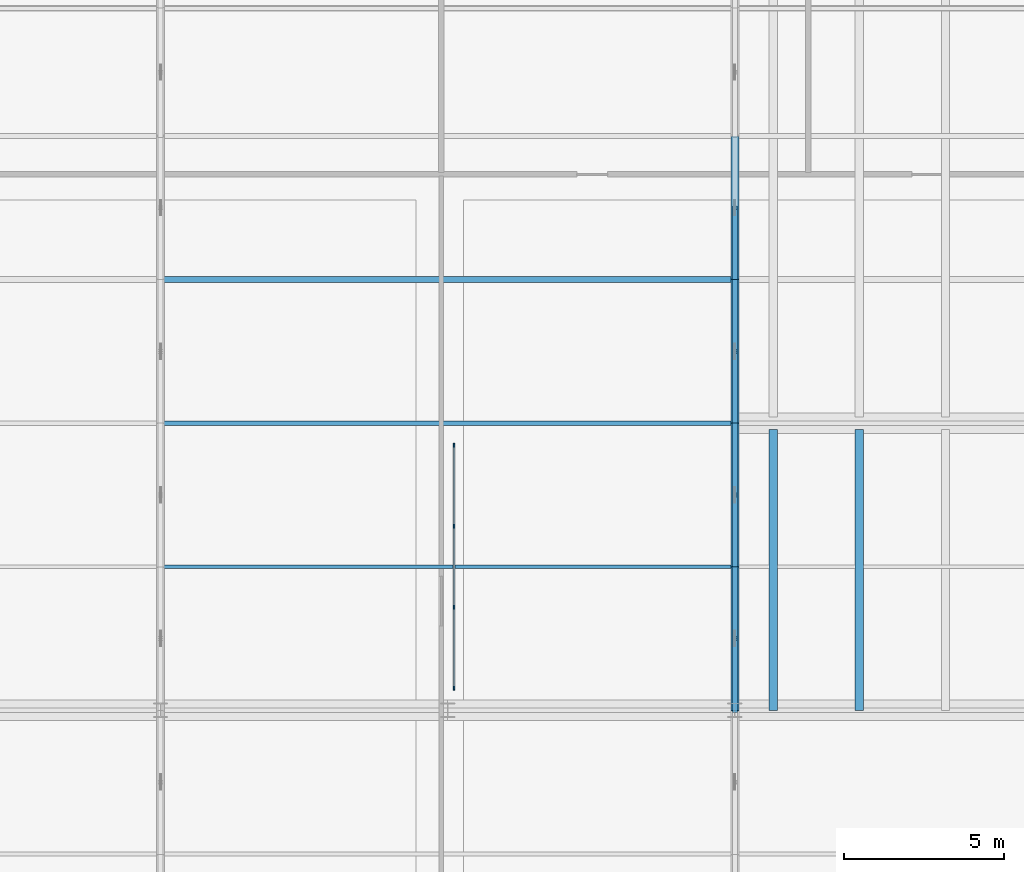
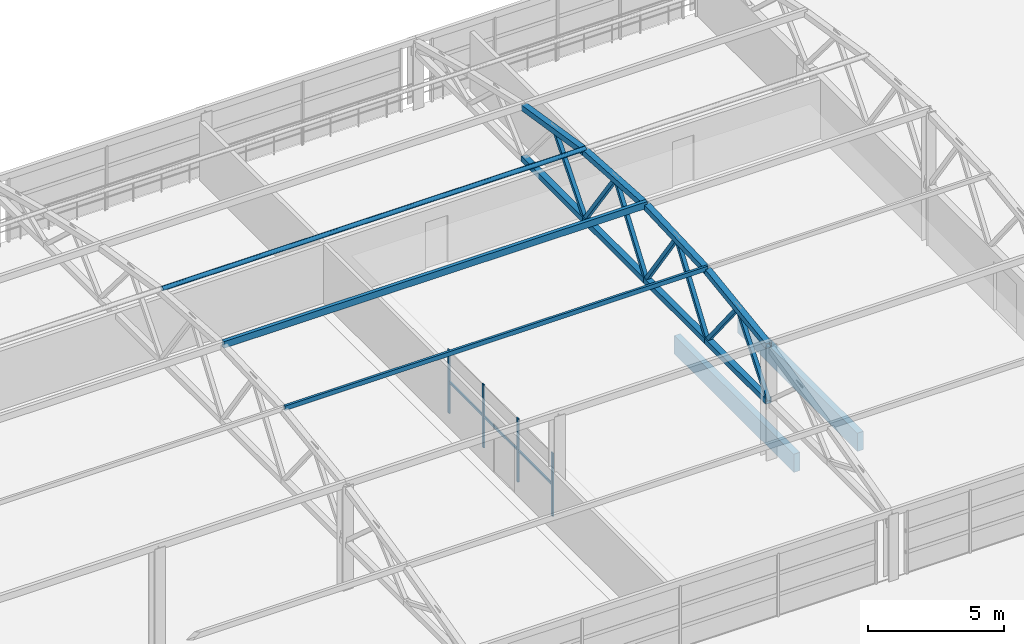
# One storey, part 20 of 50: 23 members, 2 beams, 1 element without a shape of its own.
"""IFC4 building model written with IfcOpenShell, lengths in metres."""

import ifcopenshell
import ifcopenshell.guid

model = None  # the IFC model being written
_history = None  # IfcOwnerHistory: only IFC2X3 demands one
_inside = {}  # id of a spatial element -> (the spatial element, [elements in it])
_under = {}  # id of a project, library or spatial element -> (it, [spatial elements below it])
_declared = {}  # id of a project -> (the project, [libraries it declares])
_typed = {}  # id of a type object -> (the type object, [elements of that type])
_made_of = {}  # id of a material, layer set ... -> (it, [elements and type objects made of it])


def new_model(schema):
    """Start an empty IFC model of exactly this schema.

    Asked for "IFC4X3", IfcOpenShell would pick the latest addendum, in which some entities
    have other attributes; the version numbers below select the first issue.
    IFC2X3 requires an IfcOwnerHistory on every rooted entity: one is made here for all.
    """
    global model, _history
    if schema == "IFC4X3":
        model = ifcopenshell.file(schema_version=(4, 3, 0, 0))
    else:
        model = ifcopenshell.file(schema=schema)
    _inside.clear()
    _under.clear()
    _declared.clear()
    _typed.clear()
    _made_of.clear()
    _history = None
    if model.schema == "IFC2X3":
        org = make("IfcOrganization", Name="unknown")
        user = make(
            "IfcPersonAndOrganization",
            ThePerson=make("IfcPerson", FamilyName="unknown"),
            TheOrganization=org,
        )
        app = make(
            "IfcApplication",
            ApplicationDeveloper=org,
            Version="unknown",
            ApplicationFullName="unknown",
            ApplicationIdentifier="unknown",
        )
        _history = make(
            "IfcOwnerHistory",
            OwningUser=user,
            OwningApplication=app,
            ChangeAction="ADDED",
            CreationDate=0,
        )
    return model


def make(cls, **values):
    """One entity of the class cls with the attributes given. An attribute that is None is left unset."""
    return model.create_entity(
        cls, **{name: value for name, value in values.items() if value is not None}
    )


def rooted(cls, **values):
    """An entity with a GlobalId (a new one), such as an element, a storey or a relation."""
    return make(cls, GlobalId=ifcopenshell.guid.new(), OwnerHistory=_history, **values)


def si_unit(unit_type, name, prefix=None):
    """IfcSIUnit, for example si_unit("LENGTHUNIT", "METRE", prefix="MILLI")."""
    return make("IfcSIUnit", UnitType=unit_type, Prefix=prefix, Name=name)


def derived_unit(unit_type, elements):
    """IfcDerivedUnit: a product of units, each with its exponent."""
    return make(
        "IfcDerivedUnit",
        Elements=[
            make("IfcDerivedUnitElement", Unit=unit, Exponent=power)
            for unit, power in elements
        ],
        UnitType=unit_type,
    )


def assignment(units):
    """IfcUnitAssignment: the units of a project."""
    return None if units is None else make("IfcUnitAssignment", Units=units)


def point(xyz):
    """IfcCartesianPoint."""
    return None if xyz is None else make("IfcCartesianPoint", Coordinates=xyz)


def direction(xyz):
    """IfcDirection."""
    return None if xyz is None else make("IfcDirection", DirectionRatios=xyz)


def frame(location, z_axis=None, x_axis=None):
    """IfcAxis2Placement3D, a coordinate frame: its origin and axes. An axis left out is left unset."""
    return make(
        "IfcAxis2Placement3D",
        Location=point(location),
        Axis=direction(z_axis),
        RefDirection=direction(x_axis),
    )


def frame_2d(location, x_axis=None):
    """IfcAxis2Placement2D, a coordinate frame in the plane: its origin and x axis."""
    return make(
        "IfcAxis2Placement2D", Location=point(location), RefDirection=direction(x_axis)
    )


def origin():
    """The frame at (0, 0, 0) with its axes left unset."""
    return frame((0.0, 0.0, 0.0))


def origin_2d():
    """The frame at (0, 0) in the plane with its x axis left unset."""
    return frame_2d((0.0, 0.0))


def place(relative_to, where):
    """IfcLocalPlacement: puts the frame where relative to a parent placement (None: the world)."""
    return make(
        "IfcLocalPlacement", PlacementRelTo=relative_to, RelativePlacement=where
    )


def context(
    kind, dimensions, precision=None, world=None, true_north=None, identifier=None
):
    """IfcGeometricRepresentationContext, for example the 3D "Model" context."""
    return make(
        "IfcGeometricRepresentationContext",
        ContextIdentifier=identifier,
        ContextType=kind,
        CoordinateSpaceDimension=dimensions,
        Precision=precision,
        WorldCoordinateSystem=world,
        TrueNorth=true_north,
    )


def subcontext(parent, identifier, kind, view, scale=None):
    """IfcGeometricRepresentationSubContext, for example "Body" below "Model"."""
    return make(
        "IfcGeometricRepresentationSubContext",
        ContextIdentifier=identifier,
        ContextType=kind,
        ParentContext=parent,
        TargetScale=scale,
        TargetView=view,
    )


def project(units=None, contexts=None):
    """IfcProject with its units and contexts."""
    return rooted(
        "IfcProject",
        Name="project",
        RepresentationContexts=contexts,
        UnitsInContext=assignment(units),
    )


def spatial(cls, under=None, at=None, **own):
    """A site, building, storey or space (cls), placed at a placement, below another one or the project."""
    s = rooted(cls, ObjectPlacement=at, **own)
    if under is not None:
        _under.setdefault(under.id(), (under, []))[1].append(s)
    return s


def profile(cls, at=None, kind="AREA", **sizes):
    """A parametric profile (cls). Its sizes go by their IFC names, for example OverallWidth=200.0."""
    return make(cls, ProfileType=kind, Position=at, **sizes)


def rectangle(**sizes):
    """IfcRectangleProfileDef."""
    return profile("IfcRectangleProfileDef", **sizes)


def hollow_rectangle(**sizes):
    """IfcRectangleHollowProfileDef."""
    return profile("IfcRectangleHollowProfileDef", **sizes)


def hollow_circle(**sizes):
    """IfcCircleHollowProfileDef."""
    return profile("IfcCircleHollowProfileDef", **sizes)


def extrude(swept, where, along, depth):
    """IfcExtrudedAreaSolid: the profile swept, set in the frame where, extruded along a direction by depth."""
    return make(
        "IfcExtrudedAreaSolid",
        SweptArea=swept,
        Position=where,
        ExtrudedDirection=direction(along),
        Depth=depth,
    )


def shape(context_of_items, identifier, shape_type, items):
    """IfcShapeRepresentation: the items that make up one representation, for example the "Body"."""
    return make(
        "IfcShapeRepresentation",
        ContextOfItems=context_of_items,
        RepresentationIdentifier=identifier,
        RepresentationType=shape_type,
        Items=items,
    )


def material(Name=None, Category=None):
    """IfcMaterial."""
    return make("IfcMaterial", Name=Name, Category=Category)


def layer(
    of_material, thickness, ventilated=None, Name=None, Category=None, Priority=None
):
    """IfcMaterialLayer: one layer of a wall or slab, of a material (None: an air gap)."""
    return make(
        "IfcMaterialLayer",
        Material=of_material,
        LayerThickness=thickness,
        IsVentilated=ventilated,
        Name=Name,
        Category=Category,
        Priority=Priority,
    )


def layer_set(layers, Name=None):
    """IfcMaterialLayerSet."""
    return make("IfcMaterialLayerSet", MaterialLayers=layers, LayerSetName=Name)


def material_profile(
    of_material, cross_section, Name=None, Category=None, Priority=None
):
    """IfcMaterialProfile: a cross section and its material."""
    return make(
        "IfcMaterialProfile",
        Name=Name,
        Material=of_material,
        Profile=cross_section,
        Priority=Priority,
        Category=Category,
    )


def profile_set(profiles, Name=None, composite=None):
    """IfcMaterialProfileSet."""
    return make(
        "IfcMaterialProfileSet",
        Name=Name,
        MaterialProfiles=profiles,
        CompositeProfile=composite,
    )


def made_of(thing, what):
    """Note that an element or type object is made of a material, layer set ...; save() writes the relation."""
    if what is not None:
        _made_of.setdefault(what.id(), (what, []))[1].append(thing)
    return thing


def type_object(cls, material=None, **own):
    """A type object (cls), such as IfcWallType, which elements share."""
    return made_of(rooted(cls, **own), material)


def element(
    cls,
    number,
    at=None,
    inside=None,
    cuts=None,
    type_object=None,
    material=None,
    context=None,
    identifier="Body",
    shape_type=None,
    held_by="IfcProductDefinitionShape",
    body=None,
    shapes=None,
    **own,
):
    """One element of the class cls, such as IfcWall. Its Tag is "e" and its number.

    at: its placement. inside: the storey or other place that contains it. cuts: it is an
    opening in that element (IfcRelVoidsElement). A single representation is given by context,
    identifier, shape_type and body (its items); several are given by shapes. held_by: the class
    of the entity that holds the representations. save() writes the other relations.
    """
    e = rooted(cls, Tag="e%d" % number, ObjectPlacement=at, **own)
    if body is not None:
        shapes = [shape(context, identifier, shape_type, body)]
    if shapes is not None:
        e.Representation = make(held_by, Representations=shapes)
    if inside is not None:
        _inside.setdefault(inside.id(), (inside, []))[1].append(e)
    if cuts is not None:
        rooted(
            "IfcRelVoidsElement", RelatingBuildingElement=cuts, RelatedOpeningElement=e
        )
    if type_object is not None:
        _typed.setdefault(type_object.id(), (type_object, []))[1].append(e)
    return made_of(e, material)


def aggregate(whole, parts):
    """IfcRelAggregates: a whole, such as a stair, and the parts it consists of."""
    return rooted("IfcRelAggregates", RelatingObject=whole, RelatedObjects=parts)


def save(model, path):
    """Write the relations noted so far, then the file.

    IfcRelAggregates (storeys below a building ...), IfcRelContainedInSpatialStructure (elements
    in a storey), IfcRelDefinesByType, IfcRelAssociatesMaterial and IfcRelDeclares: one each for
    every whole, place, type object, material and project.
    """
    for whole, parts in _under.values():
        aggregate(whole, parts)
    for where, things in _inside.values():
        rooted(
            "IfcRelContainedInSpatialStructure",
            RelatedElements=things,
            RelatingStructure=where,
        )
    for kind, things in _typed.values():
        rooted("IfcRelDefinesByType", RelatedObjects=things, RelatingType=kind)
    for what, things in _made_of.values():
        rooted("IfcRelAssociatesMaterial", RelatedObjects=things, RelatingMaterial=what)
    for by, libraries in _declared.values():
        rooted("IfcRelDeclares", RelatingContext=by, RelatedDefinitions=libraries)
    model.write(path)


model = new_model("IFC4")

# Units and contexts
model_context = context("Model", 3, precision=1e-05, world=origin(), true_north=direction((0.0, 1.0)))
body_context = subcontext(model_context, "Body", "Model", "MODEL_VIEW")
ifc_project = project(units=[si_unit("LENGTHUNIT", "METRE"), si_unit("AREAUNIT", "SQUARE_METRE"), si_unit("VOLUMEUNIT", "CUBIC_METRE"), si_unit("PLANEANGLEUNIT", "RADIAN"), si_unit("MASSUNIT", "GRAM", prefix="KILO"), si_unit("THERMODYNAMICTEMPERATUREUNIT", "KELVIN"), derived_unit("THERMALTRANSMITTANCEUNIT", [(si_unit("POWERUNIT", "WATT"), 1), (si_unit("AREAUNIT", "SQUARE_METRE"), -1), (si_unit("THERMODYNAMICTEMPERATUREUNIT", "KELVIN"), -1)])], contexts=[model_context])

# Site, building, storey
site_placement = place(None, origin())
site = spatial("IfcSite", under=ifc_project, at=site_placement, CompositionType="ELEMENT")
building_placement = place(site_placement, origin())
building = spatial("IfcBuilding", under=site, at=building_placement, Name="Haiyu Intermodal Mobility Hub", CompositionType="ELEMENT")
storey_placement = place(building_placement, frame((0.0, 0.0, 25.10009765625)))
storey = spatial("IfcBuildingStorey", under=building, at=storey_placement, Name="L06", CompositionType="ELEMENT", Elevation=25.10009765625)

# Beams
ifc_material_1 = material(Name="Precast concrete C50", Category="concrete")
ifc_material_profile_1 = material_profile(ifc_material_1, rectangle(XDim=0.260009765625, YDim=0.820068359375, at=origin_2d()), Name="PC260x820")
ifc_profile_set_1 = profile_set([ifc_material_profile_1], Name="Precast concrete C50")
beam_type = type_object("IfcBeamType", Name="BM-DT04", PredefinedType="JOIST", material=ifc_profile_set_1)
for number, where, z_axis, x_axis, name in (
    (1, (97.199951171875, 122.0, -0.690185546875), (0.0, 1.0, 0.0), (-1.0, 0.0, 0.0), "BM-DT-L06-005"),
    (2, (99.89990234375, 122.0, -0.690185546875), (0.0, 1.0, 0.0), (-1.0, 0.0, 0.0), "BM-DT-L06-007"),
):
    element("IfcBeam", number, at=place(storey_placement, frame(where, z_axis=z_axis, x_axis=x_axis)), inside=storey, type_object=beam_type, Name=name, PredefinedType="JOIST", context=body_context, shape_type="SweptSolid", body=[
        extrude(rectangle(XDim=0.260009765625, YDim=0.820068359375, at=origin_2d()), origin(), (0.0, 0.0, 1.0), 8.804931640625),
    ])

# Curtain wall, members
ifc_material_2 = material(Name="Low-e laminated insulating glass", Category="glass")
ifc_layer = layer(ifc_material_2, 0.179931640625)
ifc_layer_set = layer_set([ifc_layer], Name="Low-e laminated insulating glass")
curtain_wall_type = type_object("IfcCurtainWallType", Name="CW-CW06", PredefinedType="NOTDEFINED", material=ifc_layer_set)
curtain_wall_placement = place(storey_placement, origin())
curtain_wall = element("IfcCurtainWall", 3, at=curtain_wall_placement, inside=storey, type_object=curtain_wall_type, Name="Curtain Wall CW-INT-08", PredefinedType="NOTDEFINED")
ifc_material_3 = material(Name="Anodised aluminium 6063-T6", Category="aluminium")
ifc_material_profile_2 = material_profile(ifc_material_3, rectangle(XDim=0.054931640625, YDim=0.125, at=origin_2d()), Name="ALU55x125")
ifc_profile_set_2 = profile_set([ifc_material_profile_2], Name="Anodised aluminium 6063-T6")
member_type_1 = type_object("IfcMemberType", Name="CWM-ML04", PredefinedType="MULLION", material=ifc_profile_set_2)
member_1_placement = place(storey_placement, frame((87.199951171875, 122.68994140625, 0.0), z_axis=(0.0, 0.0, 1.0), x_axis=(1.0, 0.0, 0.0)))
member_1 = element("IfcMember", 4, at=member_1_placement, type_object=member_type_1, Name="CW-INT-08-ML01", PredefinedType="MULLION", context=body_context, shape_type="SweptSolid", body=[
    extrude(rectangle(XDim=0.054931640625, YDim=0.125, at=origin_2d()), origin(), (0.0, 0.0, 1.0), 2.849853515625),
])
member_2_placement = place(storey_placement, frame((87.199951171875, 125.22998046875, 0.0), z_axis=(0.0, 0.0, 1.0), x_axis=(1.0, 0.0, 0.0)))
member_2 = element("IfcMember", 5, at=member_2_placement, type_object=member_type_1, Name="CW-INT-08-ML02", PredefinedType="MULLION", context=body_context, shape_type="SweptSolid", body=[
    extrude(rectangle(XDim=0.054931640625, YDim=0.125, at=origin_2d()), origin(), (0.0, 0.0, 1.0), 2.849853515625),
])
member_3_placement = place(storey_placement, frame((87.199951171875, 127.77001953125, 0.0), z_axis=(0.0, 0.0, 1.0), x_axis=(1.0, 0.0, 0.0)))
member_3 = element("IfcMember", 6, at=member_3_placement, type_object=member_type_1, Name="CW-INT-08-ML03", PredefinedType="MULLION", context=body_context, shape_type="SweptSolid", body=[
    extrude(rectangle(XDim=0.054931640625, YDim=0.125, at=origin_2d()), origin(), (0.0, 0.0, 1.0), 2.849853515625),
])
member_4_placement = place(storey_placement, frame((87.199951171875, 130.31005859375, 0.0), z_axis=(0.0, 0.0, 1.0), x_axis=(1.0, 0.0, 0.0)))
member_4 = element("IfcMember", 7, at=member_4_placement, type_object=member_type_1, Name="CW-INT-08-ML04", PredefinedType="MULLION", context=body_context, shape_type="SweptSolid", body=[
    extrude(rectangle(XDim=0.054931640625, YDim=0.125, at=origin_2d()), origin(), (0.0, 0.0, 1.0), 2.849853515625),
])
ifc_material_profile_3 = material_profile(ifc_material_3, rectangle(XDim=0.054931640625, YDim=0.10009765625, at=origin_2d()), Name="ALU55x100")
ifc_profile_set_3 = profile_set([ifc_material_profile_3], Name="Anodised aluminium 6063-T6")
member_type_2 = type_object("IfcMemberType", Name="CWM-TR04", PredefinedType="USERDEFINED", material=ifc_profile_set_3)
member_5_placement = place(storey_placement, frame((87.199951171875, 122.64990234375, 1.4248046875), z_axis=(0.0, 1.0, 0.0), x_axis=(-1.0, 0.0, 0.0)))
member_5 = element("IfcMember", 8, at=member_5_placement, type_object=member_type_2, Name="CW-INT-08-TR01", ObjectType="TRANSOM", PredefinedType="USERDEFINED", context=body_context, shape_type="SweptSolid", body=[
    extrude(rectangle(XDim=0.054931640625, YDim=0.10009765625, at=origin_2d()), origin(), (0.0, 0.0, 1.0), 7.7001953125),
])
aggregate(curtain_wall, [member_1, member_2, member_3, member_4, member_5])

# Members
ifc_material_4 = material(Name="Steel Q355C", Category="steel")
ifc_material_profile_4 = material_profile(ifc_material_4, hollow_rectangle(XDim=0.25, YDim=0.25, WallThickness=0.010009765625, at=origin_2d()), Name="SHS250x250x10")
ifc_profile_set_4 = profile_set([ifc_material_profile_4], Name="Steel Q355C")
member_type_3 = type_object("IfcMemberType", Name="MEM-CH01", PredefinedType="CHORD", material=ifc_profile_set_4)
member_6_placement = place(storey_placement, frame((96.0, 122.0, 4.991943359375), z_axis=(0.0, 0.990345287577, 0.138622550019), x_axis=(-1.0, 0.0, 0.0)))
element("IfcMember", 9, at=member_6_placement, inside=storey, type_object=member_type_3, Name="MEM-PAV-TC-035", PredefinedType="CHORD", context=body_context, shape_type="SweptSolid", body=[
    extrude(hollow_rectangle(XDim=0.25, YDim=0.25, WallThickness=0.010009765625, at=origin_2d()), origin(), (0.0, 0.0, 1.0), 4.5439453125),
])
member_7_placement = place(storey_placement, frame((96.0, 122.0, 2.5), z_axis=(0.0, 1.0, 0.0), x_axis=(-1.0, 0.0, 0.0)))
element("IfcMember", 10, at=member_7_placement, inside=storey, type_object=member_type_3, Name="MEM-PAV-BC-035", PredefinedType="CHORD", context=body_context, shape_type="SweptSolid", body=[
    extrude(hollow_rectangle(XDim=0.25, YDim=0.25, WallThickness=0.010009765625, at=origin_2d()), origin(), (0.0, 0.0, 1.0), 4.5),
])
member_8_placement = place(storey_placement, frame((96.0, 126.5, 5.621826171875), z_axis=(0.0, 0.999155473928, 0.041089401543), x_axis=(-1.0, 0.0, 0.0)))
element("IfcMember", 11, at=member_8_placement, inside=storey, type_object=member_type_3, Name="MEM-PAV-TC-036", PredefinedType="CHORD", context=body_context, shape_type="SweptSolid", body=[
    extrude(hollow_rectangle(XDim=0.25, YDim=0.25, WallThickness=0.010009765625, at=origin_2d()), origin(), (0.0, 0.0, 1.0), 4.50390625),
])
member_9_placement = place(storey_placement, frame((96.0, 126.5, 2.5), z_axis=(0.0, 1.0, 0.0), x_axis=(-1.0, 0.0, 0.0)))
element("IfcMember", 12, at=member_9_placement, inside=storey, type_object=member_type_3, Name="MEM-PAV-BC-036", PredefinedType="CHORD", context=body_context, shape_type="SweptSolid", body=[
    extrude(hollow_rectangle(XDim=0.25, YDim=0.25, WallThickness=0.010009765625, at=origin_2d()), origin(), (0.0, 0.0, 1.0), 4.5),
])
member_10_placement = place(storey_placement, frame((96.0, 131.0, 5.806884765625), z_axis=(0.0, 0.997943223953, -0.064103991816), x_axis=(-1.0, 0.0, 0.0)))
element("IfcMember", 13, at=member_10_placement, inside=storey, type_object=member_type_3, Name="MEM-PAV-TC-037", PredefinedType="CHORD", context=body_context, shape_type="SweptSolid", body=[
    extrude(hollow_rectangle(XDim=0.25, YDim=0.25, WallThickness=0.010009765625, at=origin_2d()), origin(), (0.0, 0.0, 1.0), 4.50927734375),
])
member_11_placement = place(storey_placement, frame((96.0, 131.0, 2.5), z_axis=(0.0, 1.0, 0.0), x_axis=(-1.0, 0.0, 0.0)))
element("IfcMember", 14, at=member_11_placement, inside=storey, type_object=member_type_3, Name="MEM-PAV-BC-037", PredefinedType="CHORD", context=body_context, shape_type="SweptSolid", body=[
    extrude(hollow_rectangle(XDim=0.25, YDim=0.25, WallThickness=0.010009765625, at=origin_2d()), origin(), (0.0, 0.0, 1.0), 4.5),
])
member_12_placement = place(storey_placement, frame((96.0, 135.5, 5.517822265625), z_axis=(0.0, 0.987541733158, -0.157357317181), x_axis=(-1.0, 0.0, 0.0)))
element("IfcMember", 15, at=member_12_placement, inside=storey, type_object=member_type_3, Name="MEM-PAV-TC-038", PredefinedType="CHORD", context=body_context, shape_type="SweptSolid", body=[
    extrude(hollow_rectangle(XDim=0.25, YDim=0.25, WallThickness=0.010009765625, at=origin_2d()), origin(), (0.0, 0.0, 1.0), 4.556884765625),
])
member_13_placement = place(storey_placement, frame((96.0, 135.5, 2.5), z_axis=(0.0, 1.0, 0.0), x_axis=(-1.0, 0.0, 0.0)))
element("IfcMember", 16, at=member_13_placement, inside=storey, type_object=member_type_3, Name="MEM-PAV-BC-038", PredefinedType="CHORD", context=body_context, shape_type="SweptSolid", body=[
    extrude(hollow_rectangle(XDim=0.25, YDim=0.25, WallThickness=0.010009765625, at=origin_2d()), origin(), (0.0, 0.0, 1.0), 4.5),
])
ifc_material_profile_5 = material_profile(ifc_material_4, hollow_rectangle(XDim=0.159912109375, YDim=0.159912109375, WallThickness=0.006103515625, at=origin_2d()), Name="SHS160x160x6")
ifc_profile_set_5 = profile_set([ifc_material_profile_5], Name="Steel Q355C")
member_type_4 = type_object("IfcMemberType", Name="MEM-CH03", PredefinedType="CHORD", material=ifc_profile_set_5)
for number, where, z_axis, x_axis, name in (
    (17, (96.0, 122.0, 2.5), (0.0, 0.625456177782, 0.780259296436), (-1.0, 0.0, 0.0), "MEM-PAV-D1-035"),
    (18, (96.0, 124.25, 5.306884765625), (0.0, 0.625456177782, -0.780259296436), (-1.0, 0.0, 0.0), "MEM-PAV-D2-035"),
):
    element("IfcMember", number, at=place(storey_placement, frame(where, z_axis=z_axis, x_axis=x_axis)), inside=storey, type_object=member_type_4, Name=name, PredefinedType="CHORD", context=body_context, shape_type="SweptSolid", body=[
        extrude(hollow_rectangle(XDim=0.159912109375, YDim=0.159912109375, WallThickness=0.006103515625, at=origin_2d()), origin(), (0.0, 0.0, 1.0), 3.597412109375),
    ])
for number, where, z_axis, x_axis, name in (
    (19, (96.0, 126.5, 2.5), (0.0, 0.573395531829, 0.819278685234), (-1.0, 0.0, 0.0), "MEM-PAV-D1-036"),
    (20, (96.0, 128.75, 5.71484375), (0.0, 0.573395531829, -0.819278685234), (-1.0, 0.0, 0.0), "MEM-PAV-D2-036"),
):
    element("IfcMember", number, at=place(storey_placement, frame(where, z_axis=z_axis, x_axis=x_axis)), inside=storey, type_object=member_type_4, Name=name, PredefinedType="CHORD", context=body_context, shape_type="SweptSolid", body=[
        extrude(hollow_rectangle(XDim=0.159912109375, YDim=0.159912109375, WallThickness=0.006103515625, at=origin_2d()), origin(), (0.0, 0.0, 1.0), 3.924072265625),
    ])
for number, where, z_axis, x_axis, name in (
    (21, (96.0, 131.0, 2.5), (0.0, 0.579791164583, 0.814765122886), (-1.0, 0.0, 0.0), "MEM-PAV-D1-037"),
    (22, (96.0, 133.25, 5.661865234375), (0.0, 0.579791164583, -0.814765122886), (-1.0, 0.0, 0.0), "MEM-PAV-D2-037"),
):
    element("IfcMember", number, at=place(storey_placement, frame(where, z_axis=z_axis, x_axis=x_axis)), inside=storey, type_object=member_type_4, Name=name, PredefinedType="CHORD", context=body_context, shape_type="SweptSolid", body=[
        extrude(hollow_rectangle(XDim=0.159912109375, YDim=0.159912109375, WallThickness=0.006103515625, at=origin_2d()), origin(), (0.0, 0.0, 1.0), 3.880615234375),
    ])
member_14_placement = place(storey_placement, frame((96.0, 135.5, 2.5), z_axis=(0.0, 0.64582600347, 0.763484625413), x_axis=(-1.0, 0.0, 0.0)))
element("IfcMember", 23, at=member_14_placement, inside=storey, type_object=member_type_4, Name="MEM-PAV-D1-038", PredefinedType="CHORD", context=body_context, shape_type="SweptSolid", body=[
    extrude(hollow_rectangle(XDim=0.159912109375, YDim=0.159912109375, WallThickness=0.006103515625, at=origin_2d()), origin(), (0.0, 0.0, 1.0), 3.48388671875),
])
ifc_material_profile_6 = material_profile(ifc_material_4, hollow_rectangle(XDim=0.14990234375, YDim=0.300048828125, WallThickness=0.010009765625, at=origin_2d()), Name="RHS300x150x10")
ifc_profile_set_6 = profile_set([ifc_material_profile_6], Name="Steel Q355C")
member_type_5 = type_object("IfcMemberType", Name="MEM-PR01", PredefinedType="PURLIN", material=ifc_profile_set_6)
member_15_placement = place(storey_placement, frame((78.0, 131.0, 5.89501953125), z_axis=(1.0, 0.0, 0.0), x_axis=(0.0, 1.0, 0.0)))
element("IfcMember", 24, at=member_15_placement, inside=storey, type_object=member_type_5, Name="MEM-PAV-PR-014", PredefinedType="PURLIN", context=body_context, shape_type="SweptSolid", body=[
    extrude(hollow_rectangle(XDim=0.14990234375, YDim=0.300048828125, WallThickness=0.010009765625, at=origin_2d()), origin(), (0.0, 0.0, 1.0), 18.0),
])
ifc_material_profile_7 = material_profile(ifc_material_4, hollow_rectangle(XDim=0.10009765625, YDim=0.199951171875, WallThickness=0.006103515625, at=origin_2d()), Name="RHS200x100x6")
ifc_profile_set_7 = profile_set([ifc_material_profile_7], Name="Steel Q355C")
member_type_6 = type_object("IfcMemberType", Name="MEM-PR03-INT", PredefinedType="PURLIN", material=ifc_profile_set_7)
member_16_placement = place(storey_placement, frame((78.0, 126.5, 5.7578125), z_axis=(1.0, 0.0, 0.0), x_axis=(0.0, 1.0, 0.0)))
element("IfcMember", 25, at=member_16_placement, inside=storey, type_object=member_type_6, Name="MEM-PAV-SPR-009", PredefinedType="PURLIN", context=body_context, shape_type="SweptSolid", body=[
    extrude(hollow_rectangle(XDim=0.10009765625, YDim=0.199951171875, WallThickness=0.006103515625, at=origin_2d()), origin(), (0.0, 0.0, 1.0), 18.0),
])
ifc_material_profile_8 = material_profile(ifc_material_4, hollow_circle(Radius=0.096923828125, WallThickness=0.006103515625, at=origin_2d()), Name="CHS194x6")
ifc_profile_set_8 = profile_set([ifc_material_profile_8], Name="Steel Q355C")
member_type_7 = type_object("IfcMemberType", Name="MEM-PR04-INT", PredefinedType="PURLIN", material=ifc_profile_set_8)
member_17_placement = place(storey_placement, frame((78.0, 135.5, 5.656982421875), z_axis=(1.0, 0.0, 0.0), x_axis=(0.0, 1.0, 0.0)))
element("IfcMember", 26, at=member_17_placement, inside=storey, type_object=member_type_7, Name="MEM-PAV-SPR-014", PredefinedType="PURLIN", context=body_context, shape_type="SweptSolid", body=[
    extrude(hollow_circle(Radius=0.096923828125, WallThickness=0.006103515625, at=origin_2d()), origin(), (0.0, 0.0, 1.0), 18.0),
])

save(model, "model.ifc")
